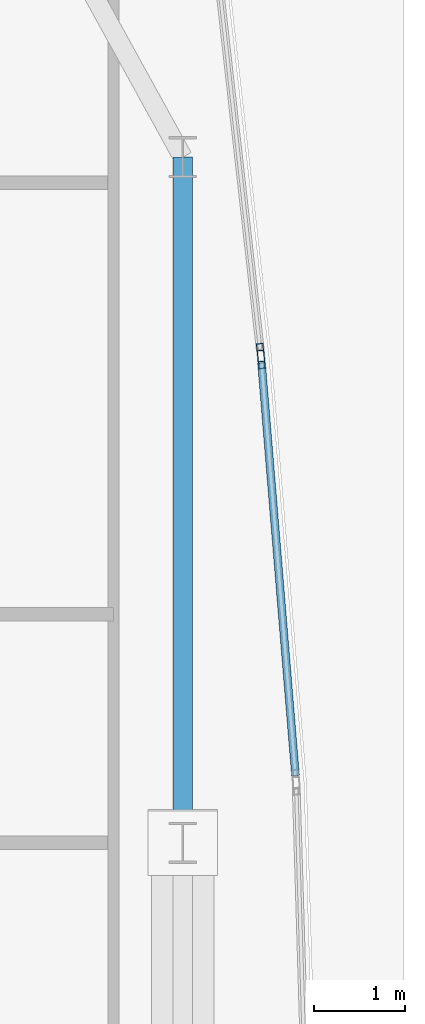
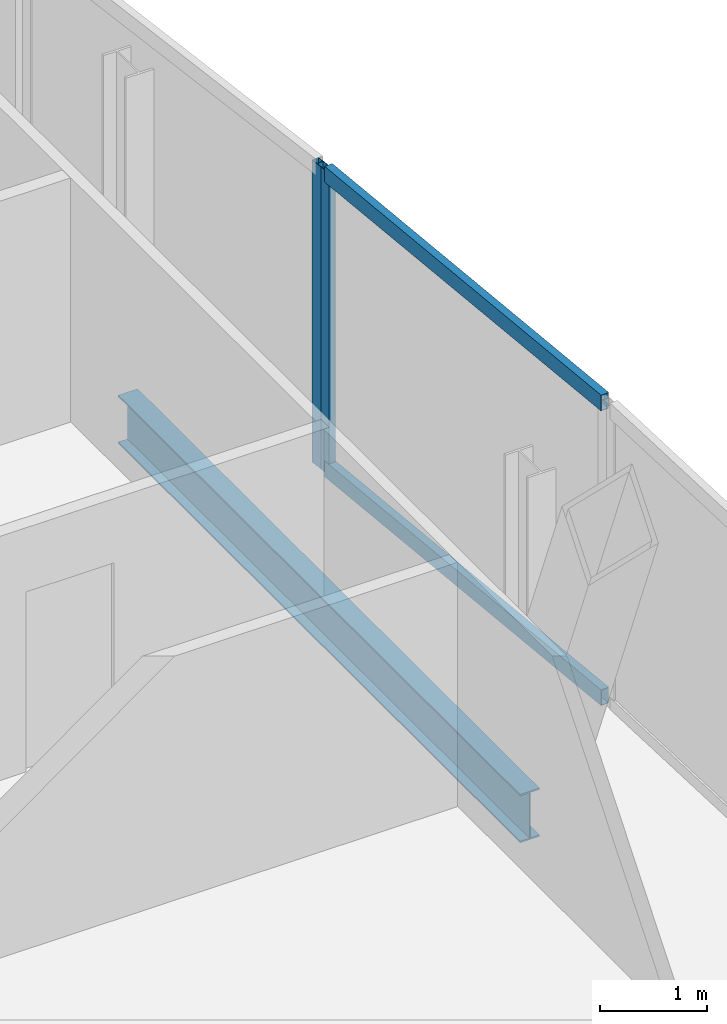
# One storey, part 17 of 28: 4 members, 1 beam, 2 elements without a shape of their own.
"""IFC4 building model written with IfcOpenShell, lengths in metres."""

from ifc_helpers import new_model, si_unit, direction, frame, origin, origin_2d, place, context, subcontext, project, spatial, hollow_rectangle, i_section, extrude, material, material_profile, profile_set, type_object, element, aggregate, save


model = new_model("IFC4")

# Units and contexts
model_context = context("Model", 3, precision=1e-05, world=origin(), true_north=direction((0.0, 1.0)))
body_context = subcontext(model_context, "Body", "Model", "MODEL_VIEW")
ifc_project = project(units=[si_unit("LENGTHUNIT", "METRE"), si_unit("AREAUNIT", "SQUARE_METRE"), si_unit("VOLUMEUNIT", "CUBIC_METRE"), si_unit("PLANEANGLEUNIT", "RADIAN"), si_unit("MASSUNIT", "GRAM", prefix="KILO")], contexts=[model_context])

# Site, building, storey
site_placement = place(None, origin())
site = spatial("IfcSite", under=ifc_project, at=site_placement, CompositionType="ELEMENT")
building_placement = place(site_placement, origin())
building = spatial("IfcBuilding", under=site, at=building_placement, Name="Khoronbel Lancet Exchange", CompositionType="ELEMENT")
storey_placement = place(building_placement, frame((0.0, 0.0, 291.39990234375)))
storey = spatial("IfcBuildingStorey", under=building, at=storey_placement, Name="L75", CompositionType="ELEMENT", Elevation=291.39990234375)

# Beam
ifc_material_1 = material(Name="Steel S355", Category="steel")
ifc_material_profile_1 = material_profile(ifc_material_1, i_section(OverallWidth=0.2099609375, OverallDepth=0.550048828125, WebThickness=0.010986328125, FlangeThickness=0.01708984375, at=origin_2d()), Name="IPE 550")
ifc_profile_set_1 = profile_set([ifc_material_profile_1], Name="Steel S355")
beam_type = type_object("IfcBeamType", Name="BM-BSP3", PredefinedType="SPANDREL", material=ifc_profile_set_1)
beam_placement = place(storey_placement, frame((61.6298828125, 35.699951171875, -0.434814453125), z_axis=(0.0, 1.0, 0.0), x_axis=(-1.0, 0.0, 0.0)))
element("IfcBeam", 1, at=beam_placement, inside=storey, type_object=beam_type, Name="Level L75 perimeter spandrel beam SP12", PredefinedType="SPANDREL", context=body_context, shape_type="SweptSolid", body=[
    extrude(i_section(OverallWidth=0.2099609375, OverallDepth=0.550048828125, WebThickness=0.010986328125, FlangeThickness=0.01708984375, at=origin_2d()), origin(), (0.0, 0.0, 1.0), 7.5),
])

# Curtain wall, member
ifc_material_2 = material(Name="Low-E Solar Control Insulating Glass", Category="glass")
curtain_wall_type = type_object("IfcCurtainWallType", Name="CW-4", PredefinedType="NOTDEFINED", material=ifc_material_2)
curtain_wall_1_placement = place(storey_placement, origin())
curtain_wall_1 = element("IfcCurtainWall", 2, at=curtain_wall_1_placement, inside=storey, type_object=curtain_wall_type, Name="Unitised curtain wall CW-L75-E17", PredefinedType="NOTDEFINED")
ifc_material_3 = material(Name="Bronze-Anodised Aluminium 6063-T6", Category="aluminium")
ifc_material_profile_2 = material_profile(ifc_material_3, hollow_rectangle(XDim=0.074951171875, YDim=0.199951171875, WallThickness=0.0048828125, at=origin_2d()), Name="ALU MULLION 75x200")
ifc_profile_set_2 = profile_set([ifc_material_profile_2], Name="Bronze-Anodised Aluminium 6063-T6")
member_type_1 = type_object("IfcMemberType", Name="MEM-CWM2", PredefinedType="MULLION", material=ifc_profile_set_2)
member_1_placement = place(storey_placement, frame((62.481201171875, 41.061767578125, 0.0), z_axis=(0.0, 0.0, 1.0), x_axis=(0.993731788903, 0.111790570813, 0.0)))
member_1 = element("IfcMember", 3, at=member_1_placement, type_object=member_type_1, Name="CW4 mullion 2", PredefinedType="MULLION", context=body_context, shape_type="SweptSolid", body=[
    extrude(hollow_rectangle(XDim=0.074951171875, YDim=0.199951171875, WallThickness=0.0048828125, at=origin_2d()), origin(), (0.0, 0.0, 1.0), 3.440185546875),
])
aggregate(curtain_wall_1, [member_1])

# Curtain wall, members
curtain_wall_2_placement = place(storey_placement, origin())
curtain_wall_2 = element("IfcCurtainWall", 4, at=curtain_wall_2_placement, inside=storey, type_object=curtain_wall_type, Name="Unitised curtain wall CW-L75-E18", PredefinedType="NOTDEFINED")
member_2_placement = place(storey_placement, frame((62.488525390625, 40.9873046875, 0.0), z_axis=(0.0, 0.0, 1.0), x_axis=(0.996626353667, 0.082072596992, 0.0)))
member_2 = element("IfcMember", 5, at=member_2_placement, type_object=member_type_1, Name="CW4 mullion 1", PredefinedType="MULLION", context=body_context, shape_type="SweptSolid", body=[
    extrude(hollow_rectangle(XDim=0.074951171875, YDim=0.199951171875, WallThickness=0.0048828125, at=origin_2d()), origin(), (0.0, 0.0, 1.0), 3.440185546875),
])
ifc_material_profile_3 = material_profile(ifc_material_3, hollow_rectangle(XDim=0.0849609375, YDim=0.179931640625, WallThickness=0.0048828125, at=origin_2d()), Name="ALU TRANSOM 85x180")
ifc_profile_set_3 = profile_set([ifc_material_profile_3], Name="Bronze-Anodised Aluminium 6063-T6")
member_type_2 = type_object("IfcMemberType", Name="MEM-CWT1", PredefinedType="USERDEFINED", material=ifc_profile_set_3)
member_3_placement = place(storey_placement, frame((62.491455078125, 40.949951171875, 0.04248046875), z_axis=(0.082099661491, -0.996624124524, 0.0), x_axis=(0.996624124524, 0.082099661491, 0.0)))
member_3 = element("IfcMember", 6, at=member_3_placement, type_object=member_type_2, Name="CW4 transom 1.1", ObjectType="TRANSOM", PredefinedType="USERDEFINED", context=body_context, shape_type="SweptSolid", body=[
    extrude(hollow_rectangle(XDim=0.0849609375, YDim=0.179931640625, WallThickness=0.0048828125, at=origin_2d()), origin(), (0.0, 0.0, 1.0), 4.529052734375),
])
member_4_placement = place(storey_placement, frame((62.491455078125, 40.949951171875, 3.397705078125), z_axis=(0.082099661491, -0.996624124524, 0.0), x_axis=(0.996624124524, 0.082099661491, 0.0)))
member_4 = element("IfcMember", 7, at=member_4_placement, type_object=member_type_2, Name="CW4 transom 1.2", ObjectType="TRANSOM", PredefinedType="USERDEFINED", context=body_context, shape_type="SweptSolid", body=[
    extrude(hollow_rectangle(XDim=0.0849609375, YDim=0.179931640625, WallThickness=0.0048828125, at=origin_2d()), origin(), (0.0, 0.0, 1.0), 4.529052734375),
])
aggregate(curtain_wall_2, [member_2, member_3, member_4])

save(model, "model.ifc")
